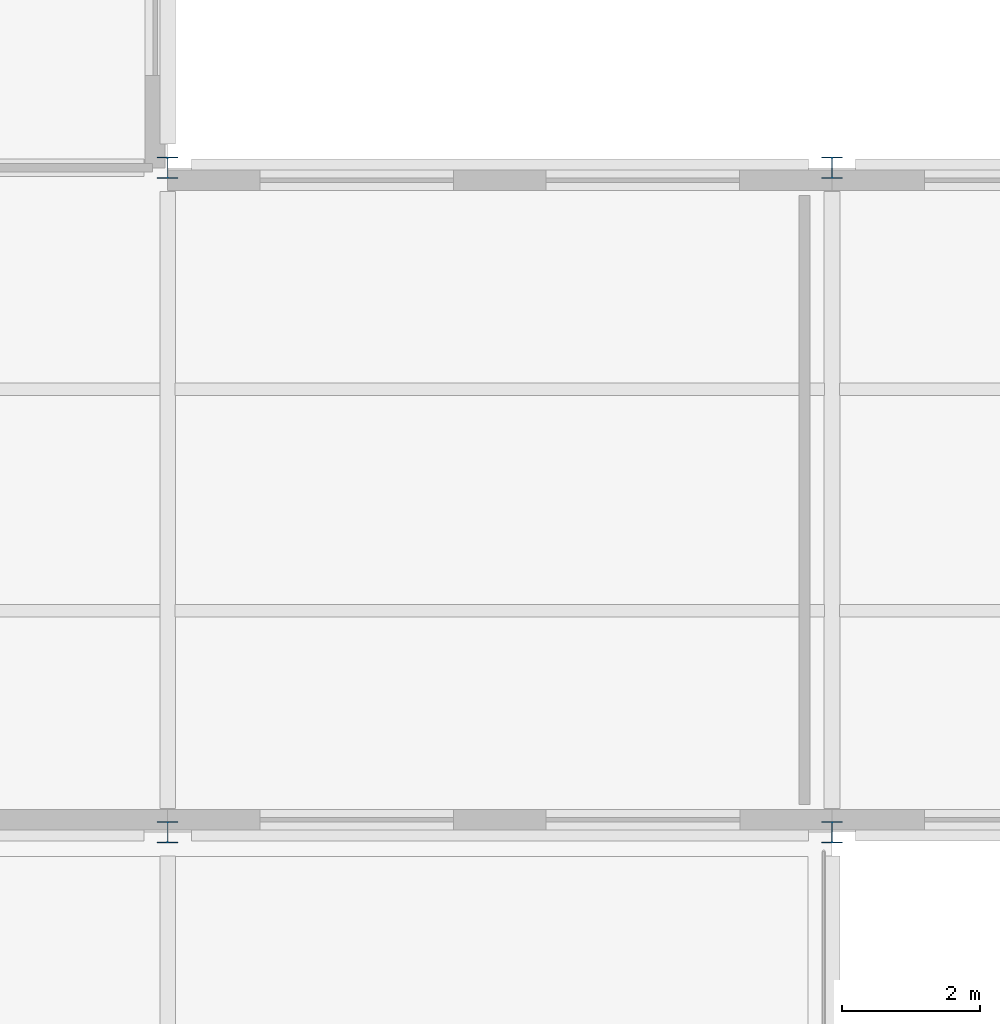
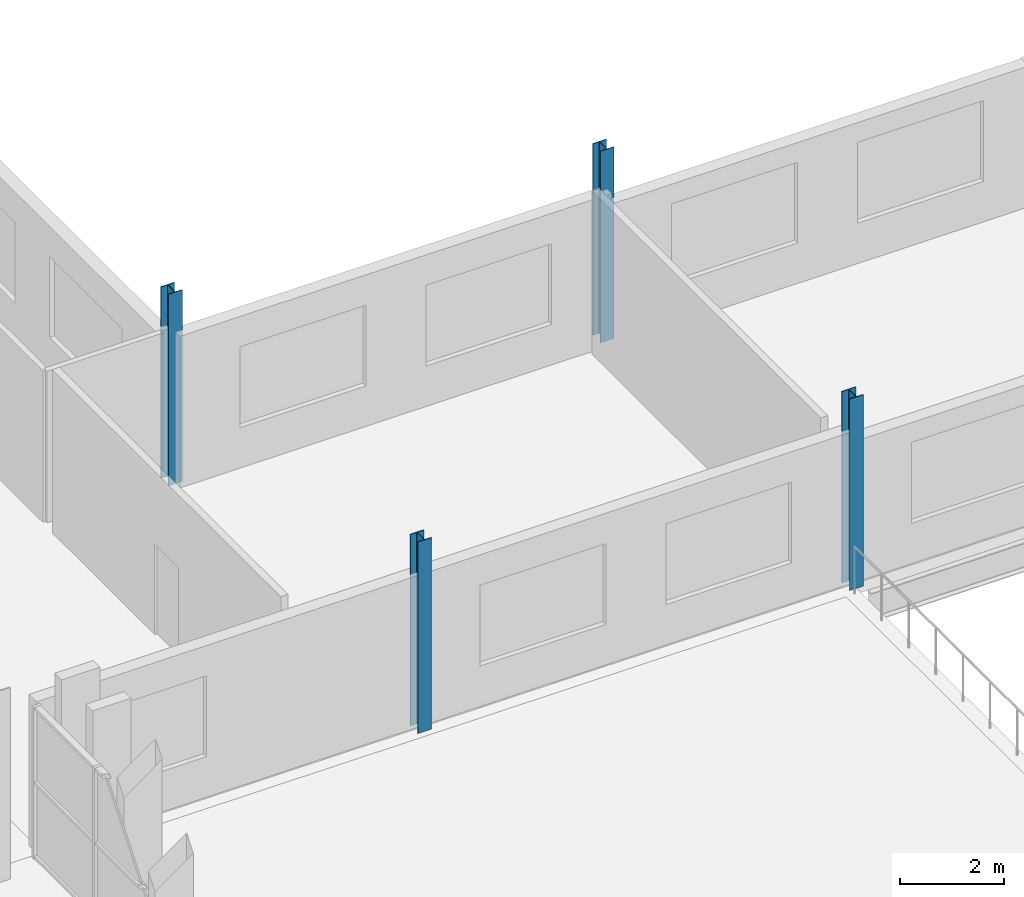
# One storey, part 3 of 69: 4 columns.
"""IFC4 building model written with IfcOpenShell, lengths in metres."""

from ifc_helpers import new_model, si_unit, direction, frame, origin, origin_2d, place, context, subcontext, project, spatial, i_section, extrude, material, material_profile, profile_set, type_object, element, save


model = new_model("IFC4")

# Units and contexts
model_context = context("Model", 3, precision=1e-05, world=origin(), true_north=direction((0.0, 1.0)))
body_context = subcontext(model_context, "Body", "Model", "MODEL_VIEW")
ifc_project = project(units=[si_unit("LENGTHUNIT", "METRE"), si_unit("AREAUNIT", "SQUARE_METRE"), si_unit("VOLUMEUNIT", "CUBIC_METRE"), si_unit("PLANEANGLEUNIT", "RADIAN"), si_unit("MASSUNIT", "GRAM", prefix="KILO")], contexts=[model_context])

# Site, building, storey
site_placement = place(None, origin())
site = spatial("IfcSite", under=ifc_project, at=site_placement, CompositionType="ELEMENT")
building_placement = place(site_placement, origin())
building = spatial("IfcBuilding", under=site, at=building_placement, Name="Caelomonte Colonnade Arena", CompositionType="ELEMENT")
storey_placement = place(building_placement, frame((0.0, 0.0, 18.60009765625)))
storey = spatial("IfcBuildingStorey", under=building, at=storey_placement, Name="L04", CompositionType="ELEMENT", Elevation=18.60009765625)

# Columns
ifc_material = material(Name="Wide-flange steel ASTM A992 Grade 50", Category="steel")
ifc_material_profile = material_profile(ifc_material, i_section(OverallWidth=0.3046875, OverallDepth=0.307861328125, WebThickness=0.010009765625, FlangeThickness=0.015380859375, FilletRadius=0.0126953125, at=origin_2d()), Name="W12X65")
ifc_profile_set = profile_set([ifc_material_profile], Name="Wide-flange steel ASTM A992 Grade 50")
column_type = type_object("IfcColumnType", Name="STR-COL-W12A", PredefinedType="COLUMN", material=ifc_profile_set)
for number, where, z_axis, x_axis, name in (
    (1, (172.800048828125, 67.199951171875, 0.0), (0.0, 0.0, 1.0), (1.0, 0.0, 0.0), "L04 column (172.8, 67.2)"),
    (2, (172.800048828125, 76.800048828125, 0.0), (0.0, 0.0, 1.0), (1.0, 0.0, 0.0), "L04 column (172.8, 76.8)"),
    (3, (182.39990234375, 67.199951171875, 0.0), (0.0, 0.0, 1.0), (1.0, 0.0, 0.0), "L04 column (182.4, 67.2)"),
    (4, (182.39990234375, 76.800048828125, 0.0), (0.0, 0.0, 1.0), (1.0, 0.0, 0.0), "L04 column (182.4, 76.8)"),
):
    element("IfcColumn", number, at=place(storey_placement, frame(where, z_axis=z_axis, x_axis=x_axis)), inside=storey, type_object=column_type, Name=name, PredefinedType="COLUMN", context=body_context, shape_type="SweptSolid", body=[
        extrude(i_section(OverallWidth=0.3046875, OverallDepth=0.307861328125, WebThickness=0.010009765625, FlangeThickness=0.015380859375, FilletRadius=0.0126953125, at=origin_2d()), origin(), (0.0, 0.0, 1.0), 4.5),
    ])

save(model, "model.ifc")
